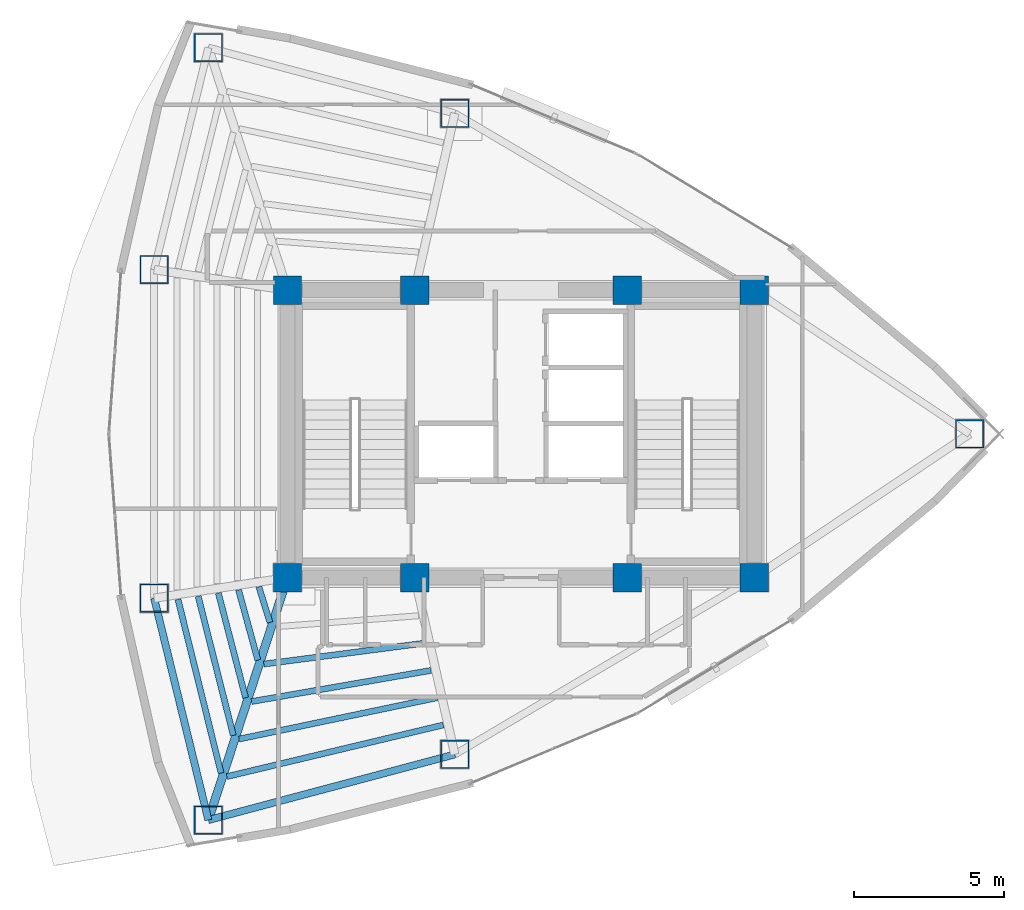
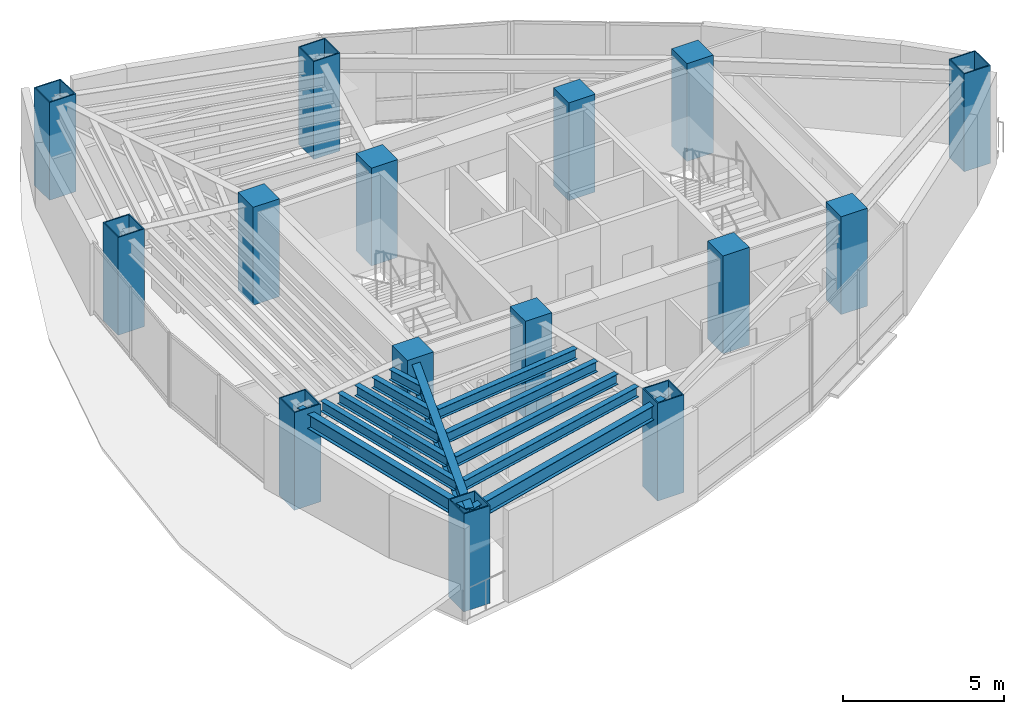
# One storey, part 1 of 15: 15 columns, 12 beams.
"""IFC4 building model written with IfcOpenShell, lengths in metres."""

from ifc_helpers import new_model, si_unit, direction, frame, origin, origin_2d, place, context, subcontext, project, spatial, rectangle, hollow_rectangle, i_section, extrude, material, material_profile, profile_set, type_object, element, save


model = new_model("IFC4")

# Units and contexts
model_context = context("Model", 3, precision=1e-05, world=origin(), true_north=direction((0.0, 1.0)))
body_context = subcontext(model_context, "Body", "Model", "MODEL_VIEW")
ifc_project = project(units=[si_unit("LENGTHUNIT", "METRE"), si_unit("AREAUNIT", "SQUARE_METRE"), si_unit("VOLUMEUNIT", "CUBIC_METRE"), si_unit("PLANEANGLEUNIT", "RADIAN"), si_unit("MASSUNIT", "GRAM", prefix="KILO")], contexts=[model_context])

# Site, building, storey
site_placement = place(None, origin())
site = spatial("IfcSite", under=ifc_project, at=site_placement, CompositionType="ELEMENT")
building_placement = place(site_placement, origin())
building = spatial("IfcBuilding", under=site, at=building_placement, Name="Menara Vayukalpa", CompositionType="ELEMENT")
storey_placement = place(building_placement, frame((0.0, 0.0, 184.080078125)))
storey = spatial("IfcBuildingStorey", under=building, at=storey_placement, Name="L46", CompositionType="ELEMENT", Elevation=184.080078125)

# Columns
ifc_material_1 = material(Name="Concrete C60/75", Category="concrete")
ifc_material_profile_1 = material_profile(ifc_material_1, rectangle(XDim=0.949951171875, YDim=0.949951171875, at=origin_2d()), Name="RC 950x950")
ifc_profile_set_1 = profile_set([ifc_material_profile_1], Name="Concrete C60/75")
column_type_1 = type_object("IfcColumnType", Name="COL-CC2", PredefinedType="COLUMN", material=ifc_profile_set_1)
for number, where, z_axis, x_axis, name in (
    (1, (17.800048828125, 17.199951171875, 0.0), (0.0, 0.0, 1.0), (1.0, 0.0, 0.0), "L46 Core Pilaster Column CC1"),
    (2, (22.050048828125, 17.199951171875, 0.0), (0.0, 0.0, 1.0), (1.0, 0.0, 0.0), "L46 Core Pilaster Column CC2"),
    (3, (29.14990234375, 17.199951171875, 0.0), (0.0, 0.0, 1.0), (1.0, 0.0, 0.0), "L46 Core Pilaster Column CC3"),
    (4, (33.39990234375, 17.199951171875, 0.0), (0.0, 0.0, 1.0), (1.0, 0.0, 0.0), "L46 Core Pilaster Column CC4"),
    (5, (17.800048828125, 26.800048828125, 0.0), (0.0, 0.0, 1.0), (1.0, 0.0, 0.0), "L46 Core Pilaster Column CC5"),
    (6, (22.050048828125, 26.800048828125, 0.0), (0.0, 0.0, 1.0), (1.0, 0.0, 0.0), "L46 Core Pilaster Column CC6"),
    (7, (29.14990234375, 26.800048828125, 0.0), (0.0, 0.0, 1.0), (1.0, 0.0, 0.0), "L46 Core Pilaster Column CC7"),
    (8, (33.39990234375, 26.800048828125, 0.0), (0.0, 0.0, 1.0), (1.0, 0.0, 0.0), "L46 Core Pilaster Column CC8"),
):
    element("IfcColumn", number, at=place(storey_placement, frame(where, z_axis=z_axis, x_axis=x_axis)), inside=storey, type_object=column_type_1, Name=name, PredefinedType="COLUMN", context=body_context, shape_type="SweptSolid", body=[
        extrude(rectangle(XDim=0.949951171875, YDim=0.949951171875, at=origin_2d()), origin(), (0.0, 0.0, 1.0), 3.719970703125),
    ])
ifc_material_2 = material(Name="Steel S460", Category="steel")
ifc_material_profile_2 = material_profile(ifc_material_2, hollow_rectangle(XDim=0.949951171875, YDim=0.949951171875, WallThickness=0.0400390625, at=origin_2d()), Name="BOX 950x950x40")
ifc_profile_set_2 = profile_set([ifc_material_profile_2], Name="Steel S460")
column_type_2 = type_object("IfcColumnType", Name="COL-MC4", PredefinedType="COLUMN", material=ifc_profile_set_2)
for number, where, z_axis, x_axis, name in (
    (9, (40.590576171875, 22.0, 0.0), (0.0, 0.0, 1.0), (1.0, 0.0, 0.0), "L46 Perimeter Mega Column P01"),
    (10, (23.389404296875, 32.70849609375, 0.0), (0.0, 0.0, 1.0), (1.0, 0.0, 0.0), "L46 Perimeter Mega Column P03"),
    (11, (15.15478515625, 34.902587890625, 0.0), (0.0, 0.0, 1.0), (1.0, 0.0, 0.0), "L46 Perimeter Mega Column P04"),
    (12, (13.343994140625, 27.4892578125, 0.0), (0.0, 0.0, 1.0), (1.0, 0.0, 0.0), "L46 Perimeter Mega Column P05"),
    (13, (13.343994140625, 16.5107421875, 0.0), (0.0, 0.0, 1.0), (1.0, 0.0, 0.0), "L46 Perimeter Mega Column P06"),
    (14, (15.15478515625, 9.097412109375, 0.0), (0.0, 0.0, 1.0), (1.0, 0.0, 0.0), "L46 Perimeter Mega Column P07"),
    (15, (23.389404296875, 11.29150390625, 0.0), (0.0, 0.0, 1.0), (1.0, 0.0, 0.0), "L46 Perimeter Mega Column P08"),
):
    element("IfcColumn", number, at=place(storey_placement, frame(where, z_axis=z_axis, x_axis=x_axis)), inside=storey, type_object=column_type_2, Name=name, PredefinedType="COLUMN", context=body_context, shape_type="SweptSolid", body=[
        extrude(hollow_rectangle(XDim=0.949951171875, YDim=0.949951171875, WallThickness=0.0400390625, at=origin_2d()), origin(), (0.0, 0.0, 1.0), 3.719970703125),
    ])

# Beams
ifc_material_3 = material(Name="Steel S355", Category="steel")
ifc_material_profile_3 = material_profile(ifc_material_3, i_section(OverallWidth=0.280029296875, OverallDepth=0.75, WebThickness=0.013916015625, FlangeThickness=0.02490234375, at=origin_2d()), Name="WF 750x280x14x25")
ifc_profile_set_3 = profile_set([ifc_material_profile_3], Name="Steel S355")
beam_type_1 = type_object("IfcBeamType", Name="BM-PG4", PredefinedType="BEAM", material=ifc_profile_set_3)
beam_1_placement = place(storey_placement, frame((17.722412109375, 16.96240234375, 3.125), z_axis=(-0.310343552153, -0.950624468251, 0.0), x_axis=(0.950624468251, -0.310343552153, 0.0)))
element("IfcBeam", 16, at=beam_1_placement, inside=storey, type_object=beam_type_1, Name="L46 Primary Radial Girder RG07", PredefinedType="BEAM", context=body_context, shape_type="SweptSolid", body=[
    extrude(i_section(OverallWidth=0.280029296875, OverallDepth=0.75, WebThickness=0.013916015625, FlangeThickness=0.02490234375, at=origin_2d()), origin(), (0.0, 0.0, 1.0), 8.2734375),
])
ifc_material_4 = material(Name="Steel S355", Category="steel")
ifc_material_profile_4 = material_profile(ifc_material_4, i_section(OverallWidth=0.199951171875, OverallDepth=0.39990234375, WebThickness=0.008056640625, FlangeThickness=0.012939453125, at=origin_2d()), Name="WF 400x200x8x13")
ifc_profile_set_4 = profile_set([ifc_material_profile_4], Name="Steel S355")
beam_type_2 = type_object("IfcBeamType", Name="BM-SJ2", PredefinedType="JOIST", material=ifc_profile_set_4)
beam_2_placement = place(storey_placement, frame((16.8427734375, 16.891845703125, 3.2998046875), z_axis=(0.296448419226, -0.955048865105, 0.0), x_axis=(0.955048865105, 0.296448419226, 0.0)))
element("IfcBeam", 17, at=beam_2_placement, inside=storey, type_object=beam_type_2, Name="L46 Secondary Floor Joist SJ06-1", PredefinedType="JOIST", context=body_context, shape_type="SweptSolid", body=[
    extrude(i_section(OverallWidth=0.199951171875, OverallDepth=0.39990234375, WebThickness=0.008056640625, FlangeThickness=0.012939453125, at=origin_2d()), origin(), (0.0, 0.0, 1.0), 1.24853515625),
])
beam_3_placement = place(storey_placement, frame((16.164306640625, 16.7861328125, 3.2998046875), z_axis=(0.264502665082, -0.964384954344, 0.0), x_axis=(0.964384954344, 0.264502665082, 0.0)))
element("IfcBeam", 18, at=beam_3_placement, inside=storey, type_object=beam_type_2, Name="L46 Secondary Floor Joist SJ06-2", PredefinedType="JOIST", context=body_context, shape_type="SweptSolid", body=[
    extrude(i_section(OverallWidth=0.199951171875, OverallDepth=0.39990234375, WebThickness=0.008056640625, FlangeThickness=0.012939453125, at=origin_2d()), origin(), (0.0, 0.0, 1.0), 2.430419921875),
])
beam_4_placement = place(storey_placement, frame((15.48876953125, 16.681396484375, 3.2998046875), z_axis=(0.251714869346, -0.967801438597, 0.0), x_axis=(0.967801438597, 0.251714869346, 0.0)))
element("IfcBeam", 19, at=beam_4_placement, inside=storey, type_object=beam_type_2, Name="L46 Secondary Floor Joist SJ06-3", PredefinedType="JOIST", context=body_context, shape_type="SweptSolid", body=[
    extrude(i_section(OverallWidth=0.199951171875, OverallDepth=0.39990234375, WebThickness=0.008056640625, FlangeThickness=0.012939453125, at=origin_2d()), origin(), (0.0, 0.0, 1.0), 3.61279296875),
])
beam_5_placement = place(storey_placement, frame((14.814208984375, 16.576904296875, 3.2998046875), z_axis=(0.24483447751, -0.969564891393, 0.0), x_axis=(0.969564891393, 0.24483447751, 0.0)))
element("IfcBeam", 20, at=beam_5_placement, inside=storey, type_object=beam_type_2, Name="L46 Secondary Floor Joist SJ06-4", PredefinedType="JOIST", context=body_context, shape_type="SweptSolid", body=[
    extrude(i_section(OverallWidth=0.199951171875, OverallDepth=0.39990234375, WebThickness=0.008056640625, FlangeThickness=0.012939453125, at=origin_2d()), origin(), (0.0, 0.0, 1.0), 4.79638671875),
])
beam_6_placement = place(storey_placement, frame((14.14013671875, 16.47265625, 3.2998046875), z_axis=(0.240556182956, -0.970635216156, 0.0), x_axis=(0.970635216156, 0.240556182956, 0.0)))
element("IfcBeam", 21, at=beam_6_placement, inside=storey, type_object=beam_type_2, Name="L46 Secondary Floor Joist SJ06-5", PredefinedType="JOIST", context=body_context, shape_type="SweptSolid", body=[
    extrude(i_section(OverallWidth=0.199951171875, OverallDepth=0.39990234375, WebThickness=0.008056640625, FlangeThickness=0.012939453125, at=origin_2d()), origin(), (0.0, 0.0, 1.0), 5.979736328125),
])
beam_7_placement = place(storey_placement, frame((17.008056640625, 14.308837890625, 3.2998046875), z_axis=(0.99161070493, 0.129260240866, 0.0), x_axis=(-0.129260240866, 0.99161070493, 0.0)))
element("IfcBeam", 22, at=beam_7_placement, inside=storey, type_object=beam_type_2, Name="L46 Secondary Floor Joist SJ07-2", PredefinedType="JOIST", context=body_context, shape_type="SweptSolid", body=[
    extrude(i_section(OverallWidth=0.199951171875, OverallDepth=0.39990234375, WebThickness=0.008056640625, FlangeThickness=0.012939453125, at=origin_2d()), origin(), (0.0, 0.0, 1.0), 5.420654296875),
])
beam_8_placement = place(storey_placement, frame((16.59619140625, 13.05712890625, 3.2998046875), z_axis=(0.985288833054, 0.170897382832, 0.0), x_axis=(-0.170897382832, 0.985288833054, 0.0)))
element("IfcBeam", 23, at=beam_8_placement, inside=storey, type_object=beam_type_2, Name="L46 Secondary Floor Joist SJ07-3", PredefinedType="JOIST", context=body_context, shape_type="SweptSolid", body=[
    extrude(i_section(OverallWidth=0.199951171875, OverallDepth=0.39990234375, WebThickness=0.008056640625, FlangeThickness=0.012939453125, at=origin_2d()), origin(), (0.0, 0.0, 1.0), 6.0830078125),
])
beam_9_placement = place(storey_placement, frame((16.184326171875, 11.80419921875, 3.2998046875), z_axis=(0.97888709748, 0.204401688806, 0.0), x_axis=(-0.204401688806, 0.97888709748, 0.0)))
element("IfcBeam", 24, at=beam_9_placement, inside=storey, type_object=beam_type_2, Name="L46 Secondary Floor Joist SJ07-4", PredefinedType="JOIST", context=body_context, shape_type="SweptSolid", body=[
    extrude(i_section(OverallWidth=0.199951171875, OverallDepth=0.39990234375, WebThickness=0.008056640625, FlangeThickness=0.012939453125, at=origin_2d()), origin(), (0.0, 0.0, 1.0), 6.75439453125),
])
beam_10_placement = place(storey_placement, frame((15.772705078125, 10.55029296875, 3.2998046875), z_axis=(0.972731800574, 0.231932844055, 0.0), x_axis=(-0.231932844055, 0.972731800574, 0.0)))
element("IfcBeam", 25, at=beam_10_placement, inside=storey, type_object=beam_type_2, Name="L46 Secondary Floor Joist SJ07-5", PredefinedType="JOIST", context=body_context, shape_type="SweptSolid", body=[
    extrude(i_section(OverallWidth=0.199951171875, OverallDepth=0.39990234375, WebThickness=0.008056640625, FlangeThickness=0.012939453125, at=origin_2d()), origin(), (0.0, 0.0, 1.0), 7.4326171875),
])
ifc_material_5 = material(Name="Steel S355", Category="steel")
ifc_material_profile_5 = material_profile(ifc_material_5, i_section(OverallWidth=0.239990234375, OverallDepth=0.550048828125, WebThickness=0.010986328125, FlangeThickness=0.01904296875, at=origin_2d()), Name="WF 550x240x11x19")
ifc_profile_set_5 = profile_set([ifc_material_profile_5], Name="Steel S355")
beam_type_3 = type_object("IfcBeamType", Name="BM-SP2", PredefinedType="SPANDREL", material=ifc_profile_set_5)
beam_11_placement = place(storey_placement, frame((13.343994140625, 16.5107421875, 3.224853515625), z_axis=(0.237285374413, -0.971439988414, 0.0), x_axis=(0.971439988414, 0.237285374413, 0.0)))
element("IfcBeam", 26, at=beam_11_placement, inside=storey, type_object=beam_type_3, Name="L46 Perimeter Spandrel Beam SP06", PredefinedType="SPANDREL", context=body_context, shape_type="SweptSolid", body=[
    extrude(i_section(OverallWidth=0.239990234375, OverallDepth=0.550048828125, WebThickness=0.010986328125, FlangeThickness=0.01904296875, at=origin_2d()), origin(), (0.0, 0.0, 1.0), 7.63134765625),
])
beam_12_placement = place(storey_placement, frame((15.15478515625, 9.097412109375, 3.224853515625), z_axis=(0.966287699272, 0.25746472037, 0.0), x_axis=(-0.25746472037, 0.966287699272, 0.0)))
element("IfcBeam", 27, at=beam_12_placement, inside=storey, type_object=beam_type_3, Name="L46 Perimeter Spandrel Beam SP07", PredefinedType="SPANDREL", context=body_context, shape_type="SweptSolid", body=[
    extrude(i_section(OverallWidth=0.239990234375, OverallDepth=0.550048828125, WebThickness=0.010986328125, FlangeThickness=0.01904296875, at=origin_2d()), origin(), (0.0, 0.0, 1.0), 8.52197265625),
])

save(model, "model.ifc")
